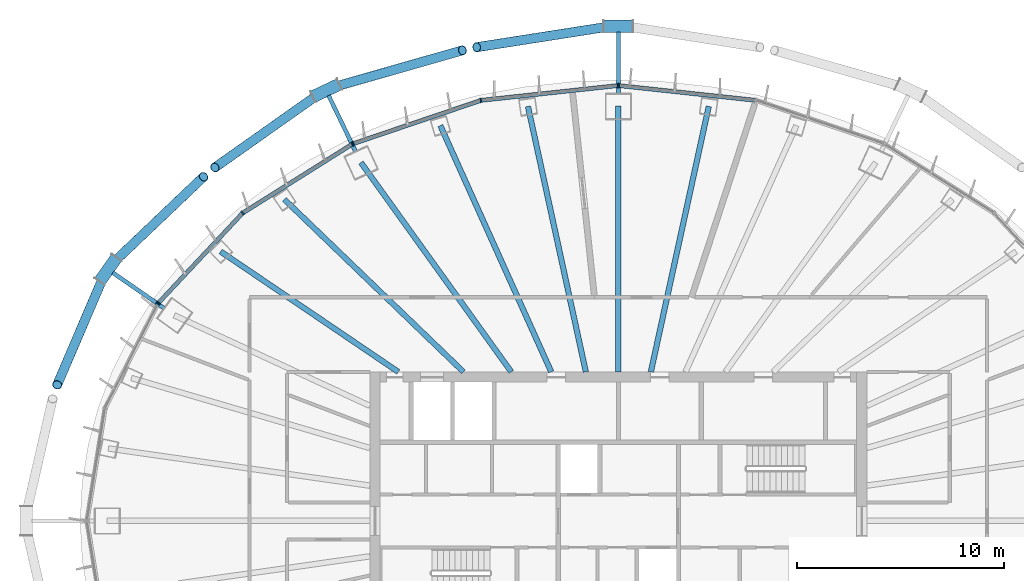
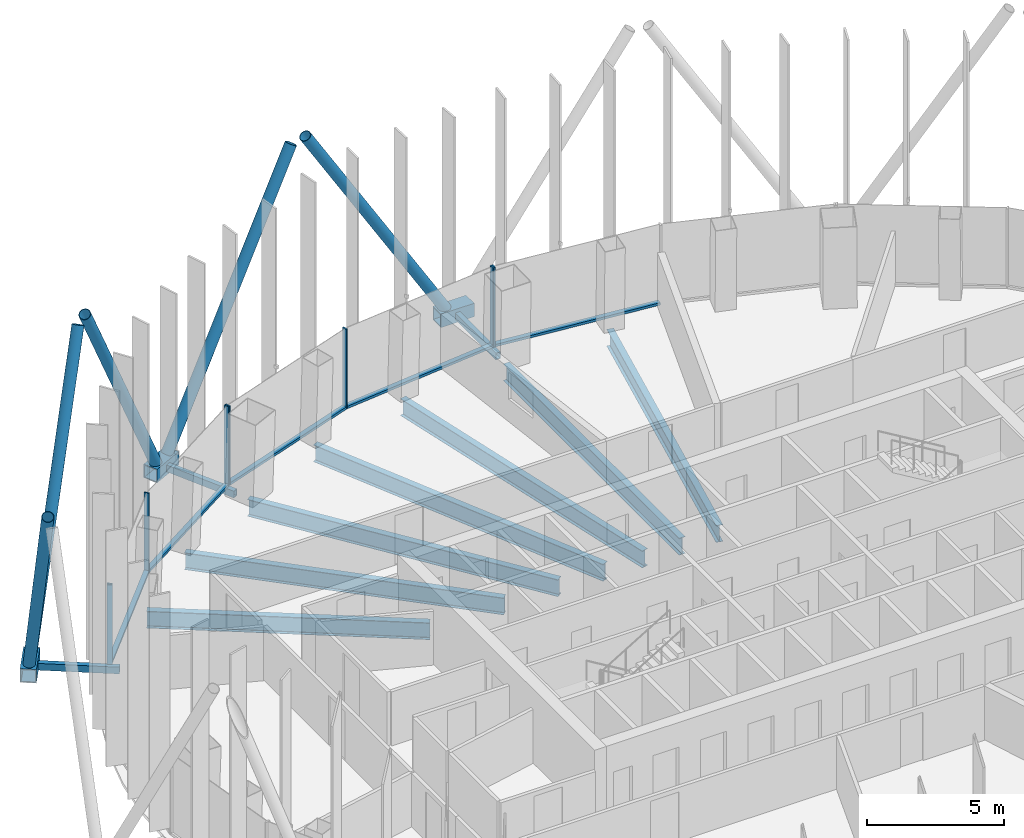
# One storey, part 6 of 20: 24 members, 7 beams, 4 elements without a shape of their own.
"""IFC4 building model written with IfcOpenShell, lengths in metres."""

from ifc_helpers import new_model, si_unit, direction, frame, origin, origin_2d, place, context, subcontext, project, spatial, rectangle, hollow_rectangle, hollow_circle, i_section, extrude, material, layer, layer_set, material_profile, profile_set, type_object, element, aggregate, save


model = new_model("IFC4")

# Units and contexts
model_context = context("Model", 3, precision=1e-05, world=origin(), true_north=direction((0.0, 1.0)))
body_context = subcontext(model_context, "Body", "Model", "MODEL_VIEW")
ifc_project = project(units=[si_unit("LENGTHUNIT", "METRE"), si_unit("AREAUNIT", "SQUARE_METRE"), si_unit("VOLUMEUNIT", "CUBIC_METRE"), si_unit("PLANEANGLEUNIT", "RADIAN"), si_unit("MASSUNIT", "GRAM", prefix="KILO")], contexts=[model_context])

# Site, building, storey
site_placement = place(None, origin())
site = spatial("IfcSite", under=ifc_project, at=site_placement, CompositionType="ELEMENT")
building_placement = place(site_placement, origin())
building = spatial("IfcBuilding", under=site, at=building_placement, Name="Siaravel Broadcast Tower", CompositionType="ELEMENT")
storey_placement = place(building_placement, frame((0.0, 0.0, 108.199951171875)))
storey = spatial("IfcBuildingStorey", under=building, at=storey_placement, Name="L25", CompositionType="ELEMENT", Elevation=108.199951171875)

# Beams
ifc_material_1 = material(Name="Steel S355", Category="steel")
ifc_material_profile_1 = material_profile(ifc_material_1, i_section(OverallWidth=0.26513671875, OverallDepth=0.75390625, WebThickness=0.0126953125, FlangeThickness=0.017578125, FilletRadius=0.0166015625, at=origin_2d()))
ifc_profile_set_1 = profile_set([ifc_material_profile_1], Name="Steel S355")
beam_type = type_object("IfcBeamType", Name="BM-UB 762x267x147", PredefinedType="BEAM", material=ifc_profile_set_1)
beam_1_placement = place(storey_placement, frame((4.365234375, 20.018310546875, -0.52685546875), z_axis=(-0.213053066, -0.977040629, 0.0), x_axis=(0.977040629, -0.213053066, 0.0)))
element("IfcBeam", 1, at=beam_1_placement, inside=storey, type_object=beam_type, Name="Radial beam RB09", PredefinedType="BEAM", context=body_context, shape_type="SweptSolid", body=[
    extrude(i_section(OverallWidth=0.26513671875, OverallDepth=0.75390625, WebThickness=0.0126953125, FlangeThickness=0.017578125, FilletRadius=0.0166015625, at=origin_2d()), origin(), (0.0, 0.0, 1.0), 13.11962890625),
])
beam_2_placement = place(storey_placement, frame((0.0, 20.031005859375, -0.52685546875), z_axis=(0.0, -1.0, 0.0), x_axis=(1.0, 0.0, 0.0)))
element("IfcBeam", 2, at=beam_2_placement, inside=storey, type_object=beam_type, Name="Radial beam RB10", PredefinedType="BEAM", context=body_context, shape_type="SweptSolid", body=[
    extrude(i_section(OverallWidth=0.26513671875, OverallDepth=0.75390625, WebThickness=0.0126953125, FlangeThickness=0.017578125, FilletRadius=0.0166015625, at=origin_2d()), origin(), (0.0, 0.0, 1.0), 12.8310546875),
])
beam_3_placement = place(storey_placement, frame((-4.365234375, 20.018310546875, -0.52685546875), z_axis=(0.213053066, -0.977040629, 0.0), x_axis=(0.977040629, 0.213053066, 0.0)))
element("IfcBeam", 3, at=beam_3_placement, inside=storey, type_object=beam_type, Name="Radial beam RB11", PredefinedType="BEAM", context=body_context, shape_type="SweptSolid", body=[
    extrude(i_section(OverallWidth=0.26513671875, OverallDepth=0.75390625, WebThickness=0.0126953125, FlangeThickness=0.017578125, FilletRadius=0.0166015625, at=origin_2d()), origin(), (0.0, 0.0, 1.0), 13.11962890625),
])
beam_4_placement = place(storey_placement, frame((-8.5947265625, 19.090087890625, -0.52685546875), z_axis=(0.410521929, -0.911850725, 0.0), x_axis=(0.911850725, 0.410521929, 0.0)))
element("IfcBeam", 4, at=beam_4_placement, inside=storey, type_object=beam_type, Name="Radial beam RB12", PredefinedType="BEAM", context=body_context, shape_type="SweptSolid", body=[
    extrude(i_section(OverallWidth=0.26513671875, OverallDepth=0.75390625, WebThickness=0.0126953125, FlangeThickness=0.017578125, FilletRadius=0.0166015625, at=origin_2d()), origin(), (0.0, 0.0, 1.0), 13.03955078125),
])
beam_5_placement = place(storey_placement, frame((-12.428466796875, 17.305419921875, -0.52685546875), z_axis=(0.583331946, -0.812233858, 0.0), x_axis=(0.812233858, 0.583331946, 0.0)))
element("IfcBeam", 5, at=beam_5_placement, inside=storey, type_object=beam_type, Name="Radial beam RB13", PredefinedType="BEAM", context=body_context, shape_type="SweptSolid", body=[
    extrude(i_section(OverallWidth=0.26513671875, OverallDepth=0.75390625, WebThickness=0.0126953125, FlangeThickness=0.017578125, FilletRadius=0.0166015625, at=origin_2d()), origin(), (0.0, 0.0, 1.0), 12.441650390625),
])
beam_6_placement = place(storey_placement, frame((-16.129150390625, 15.528076171875, -0.52685546875), z_axis=(0.720398468, -0.693560413, 0.0), x_axis=(0.693560413, 0.720398468, 0.0)))
element("IfcBeam", 6, at=beam_6_placement, inside=storey, type_object=beam_type, Name="Radial beam RB14", PredefinedType="BEAM", context=body_context, shape_type="SweptSolid", body=[
    extrude(i_section(OverallWidth=0.26513671875, OverallDepth=0.75390625, WebThickness=0.0126953125, FlangeThickness=0.017578125, FilletRadius=0.0166015625, at=origin_2d()), origin(), (0.0, 0.0, 1.0), 12.0078125),
])
beam_7_placement = place(storey_placement, frame((-19.203125, 13.01025390625, -0.52685546875), z_axis=(0.827882681, -0.560901299, 0.0), x_axis=(0.560901299, 0.827882681, 0.0)))
element("IfcBeam", 7, at=beam_7_placement, inside=storey, type_object=beam_type, Name="Radial beam RB15", PredefinedType="BEAM", context=body_context, shape_type="SweptSolid", body=[
    extrude(i_section(OverallWidth=0.26513671875, OverallDepth=0.75390625, WebThickness=0.0126953125, FlangeThickness=0.017578125, FilletRadius=0.0166015625, at=origin_2d()), origin(), (0.0, 0.0, 1.0), 10.35888671875),
])

# Curtain wall, member
ifc_material_2 = material(Name="Aluminium 6063-T6", Category="aluminium")
ifc_layer = layer(ifc_material_2, 0.199951171875)
ifc_layer_set = layer_set([ifc_layer], Name="Aluminium 6063-T6")
curtain_wall_type = type_object("IfcCurtainWallType", Name="Unitised curtain wall, zone 2", PredefinedType="NOTDEFINED", material=ifc_layer_set)
curtain_wall_1_placement = place(storey_placement, origin())
curtain_wall_1 = element("IfcCurtainWall", 8, at=curtain_wall_1_placement, inside=storey, type_object=curtain_wall_type, Name="L25 Unitised curtain wall, zone 2 03", PredefinedType="NOTDEFINED")
ifc_material_profile_2 = material_profile(ifc_material_2, rectangle(XDim=0.199951171875, YDim=0.06494140625, at=origin_2d()))
ifc_profile_set_2 = profile_set([ifc_material_profile_2], Name="Aluminium 6063-T6")
member_type_1 = type_object("IfcMemberType", Name="CW-Z2 mullion", PredefinedType="MULLION", material=ifc_profile_set_2)
member_1_placement = place(storey_placement, frame((0.0322265625, 21.02001953125, 0.0), z_axis=(0.0, 0.0, 1.0), x_axis=(-0.107217456, -0.994235594, 0.0)))
member_1 = element("IfcMember", 9, at=member_1_placement, type_object=member_type_1, Name="CW-Z2 mullion 3", PredefinedType="MULLION", context=body_context, shape_type="SweptSolid", body=[
    extrude(rectangle(XDim=0.199951171875, YDim=0.06494140625, at=origin_2d()), origin(), (0.0, 0.0, 1.0), 3.550048828125),
])

# Curtain wall, members
curtain_wall_2_placement = place(storey_placement, origin())
curtain_wall_2 = element("IfcCurtainWall", 10, at=curtain_wall_2_placement, inside=storey, type_object=curtain_wall_type, Name="L25 Unitised curtain wall, zone 2 04", PredefinedType="NOTDEFINED")
member_2_placement = place(storey_placement, frame((-0.0322265625, 21.02001953125, 0.0), z_axis=(0.0, 0.0, 1.0), x_axis=(0.107217456, -0.994235594, 0.0)))
member_2 = element("IfcMember", 11, at=member_2_placement, type_object=member_type_1, Name="CW-Z2 mullion 1", PredefinedType="MULLION", context=body_context, shape_type="SweptSolid", body=[
    extrude(rectangle(XDim=0.199951171875, YDim=0.06494140625, at=origin_2d()), origin(), (0.0, 0.0, 1.0), 3.550048828125),
])
member_3_placement = place(storey_placement, frame((-6.637939453125, 20.307861328125, 0.0), z_axis=(0.0, 0.0, 1.0), x_axis=(0.215557996, -0.97649104, 0.0)))
member_3 = element("IfcMember", 12, at=member_3_placement, type_object=member_type_1, Name="CW-Z2 mullion 2", PredefinedType="MULLION", context=body_context, shape_type="SweptSolid", body=[
    extrude(rectangle(XDim=0.199951171875, YDim=0.06494140625, at=origin_2d()), origin(), (0.0, 0.0, 1.0), 3.550048828125),
])
member_4_placement = place(storey_placement, frame((-12.793212890625, 18.21923828125, 0.0), z_axis=(0.0, 0.0, 1.0), x_axis=(0.321300513, -0.946977286, 0.0)))
member_4 = element("IfcMember", 13, at=member_4_placement, type_object=member_type_1, Name="CW-Z2 mullion 3", PredefinedType="MULLION", context=body_context, shape_type="SweptSolid", body=[
    extrude(rectangle(XDim=0.199951171875, YDim=0.06494140625, at=origin_2d()), origin(), (0.0, 0.0, 1.0), 3.550048828125),
])

curtain_wall_3_placement = place(storey_placement, origin())
curtain_wall_3 = element("IfcCurtainWall", 14, at=curtain_wall_3_placement, inside=storey, type_object=curtain_wall_type, Name="L25 Unitised curtain wall, zone 2 05", PredefinedType="NOTDEFINED")
member_5_placement = place(storey_placement, frame((-12.8515625, 18.191650390625, 0.0), z_axis=(0.0, 0.0, 1.0), x_axis=(0.532149019, -0.846650708, 0.0)))
member_5 = element("IfcMember", 15, at=member_5_placement, type_object=member_type_1, Name="CW-Z2 mullion 1", PredefinedType="MULLION", context=body_context, shape_type="SweptSolid", body=[
    extrude(rectangle(XDim=0.199951171875, YDim=0.06494140625, at=origin_2d()), origin(), (0.0, 0.0, 1.0), 3.550048828125),
])
member_6_placement = place(storey_placement, frame((-18.137451171875, 14.869384765625, 0.0), z_axis=(0.0, 0.0, 1.0), x_axis=(0.63621839, -0.771509015, 0.0)))
member_6 = element("IfcMember", 16, at=member_6_placement, type_object=member_type_1, Name="CW-Z2 mullion 2", PredefinedType="MULLION", context=body_context, shape_type="SweptSolid", body=[
    extrude(rectangle(XDim=0.199951171875, YDim=0.06494140625, at=origin_2d()), origin(), (0.0, 0.0, 1.0), 3.550048828125),
])
member_7_placement = place(storey_placement, frame((-22.193603515625, 10.539306640625, 0.0), z_axis=(0.0, 0.0, 1.0), x_axis=(0.729804977, -0.683655392, 0.0)))
member_7 = element("IfcMember", 17, at=member_7_placement, type_object=member_type_1, Name="CW-Z2 mullion 3", PredefinedType="MULLION", context=body_context, shape_type="SweptSolid", body=[
    extrude(rectangle(XDim=0.199951171875, YDim=0.06494140625, at=origin_2d()), origin(), (0.0, 0.0, 1.0), 3.550048828125),
])

# Curtain wall, member
curtain_wall_4_placement = place(storey_placement, origin())
curtain_wall_4 = element("IfcCurtainWall", 18, at=curtain_wall_4_placement, inside=storey, type_object=curtain_wall_type, Name="L25 Unitised curtain wall, zone 2 06", PredefinedType="NOTDEFINED")
member_8_placement = place(storey_placement, frame((-22.23046875, 10.486572265625, 0.0), z_axis=(0.0, 0.0, 1.0), x_axis=(0.892391899, -0.451261231, 0.0)))
member_8 = element("IfcMember", 19, at=member_8_placement, type_object=member_type_1, Name="CW-Z2 mullion 1", PredefinedType="MULLION", context=body_context, shape_type="SweptSolid", body=[
    extrude(rectangle(XDim=0.199951171875, YDim=0.06494140625, at=origin_2d()), origin(), (0.0, 0.0, 1.0), 3.550048828125),
])
aggregate(curtain_wall_4, [member_8])

# Member
ifc_material_profile_3 = material_profile(ifc_material_2, rectangle(XDim=0.199951171875, YDim=0.110107421875, at=origin_2d()))
ifc_profile_set_3 = profile_set([ifc_material_profile_3], Name="Aluminium 6063-T6")
member_type_2 = type_object("IfcMemberType", Name="CW-Z2 transom", PredefinedType="USERDEFINED", material=ifc_profile_set_3)
member_9_placement = place(storey_placement, frame((6.60546875, 20.311279296875, 0.054931640625), z_axis=(-0.994236057, 0.107213167, 0.0), x_axis=(-0.107213167, -0.994236057, 0.0)))
member_9 = element("IfcMember", 20, at=member_9_placement, type_object=member_type_2, Name="CW-Z2 transom 2", ObjectType="TRANSOM", PredefinedType="USERDEFINED", context=body_context, shape_type="SweptSolid", body=[
    extrude(rectangle(XDim=0.199951171875, YDim=0.110107421875, at=origin_2d()), origin(), (0.0, 0.0, 1.0), 6.57861328125),
])

aggregate(curtain_wall_1, [member_1, member_9])

member_10_placement = place(storey_placement, frame((-0.064697265625, 21.0166015625, 0.054931640625), z_axis=(-0.994236057, -0.107213167, 0.0), x_axis=(0.107213167, -0.994236057, 0.0)))
member_10 = element("IfcMember", 21, at=member_10_placement, type_object=member_type_2, Name="CW-Z2 transom 1", ObjectType="TRANSOM", PredefinedType="USERDEFINED", context=body_context, shape_type="SweptSolid", body=[
    extrude(rectangle(XDim=0.199951171875, YDim=0.110107421875, at=origin_2d()), origin(), (0.0, 0.0, 1.0), 6.57861328125),
])

member_11_placement = place(storey_placement, frame((-6.668701171875, 20.29736328125, 0.054931640625), z_axis=(-0.946973753, -0.321310926, 0.0), x_axis=(0.321310926, -0.946973753, 0.0)))
member_11 = element("IfcMember", 22, at=member_11_placement, type_object=member_type_2, Name="CW-Z2 transom 2", ObjectType="TRANSOM", PredefinedType="USERDEFINED", context=body_context, shape_type="SweptSolid", body=[
    extrude(rectangle(XDim=0.199951171875, YDim=0.110107421875, at=origin_2d()), origin(), (0.0, 0.0, 1.0), 6.43505859375),
])

aggregate(curtain_wall_2, [member_2, member_3, member_4, member_10, member_11])

member_12_placement = place(storey_placement, frame((-12.879150390625, 18.17431640625, 0.054931640625), z_axis=(-0.846639093, -0.532167499, 0.0), x_axis=(0.532167499, -0.846639093, 0.0)))
member_12 = element("IfcMember", 23, at=member_12_placement, type_object=member_type_2, Name="CW-Z2 transom 1", ObjectType="TRANSOM", PredefinedType="USERDEFINED", context=body_context, shape_type="SweptSolid", body=[
    extrude(rectangle(XDim=0.199951171875, YDim=0.110107421875, at=origin_2d()), origin(), (0.0, 0.0, 1.0), 6.17822265625),
])

member_13_placement = place(storey_placement, frame((-18.15966796875, 14.845458984375, 0.054931640625), z_axis=(-0.683660134, -0.729800536, 0.0), x_axis=(0.729800536, -0.683660134, 0.0)))
member_13 = element("IfcMember", 24, at=member_13_placement, type_object=member_type_2, Name="CW-Z2 transom 2", ObjectType="TRANSOM", PredefinedType="USERDEFINED", context=body_context, shape_type="SweptSolid", body=[
    extrude(rectangle(XDim=0.199951171875, YDim=0.110107421875, at=origin_2d()), origin(), (0.0, 0.0, 1.0), 5.867919921875),
])

aggregate(curtain_wall_3, [member_5, member_6, member_7, member_12, member_13])

# Members
ifc_material_3 = material(Name="Steel S460", Category="steel")
ifc_material_profile_4 = material_profile(ifc_material_3, hollow_circle(Radius=0.228515625, WallThickness=0.02001953125, at=origin_2d()))
ifc_profile_set_4 = profile_set([ifc_material_profile_4], Name="Steel S460")
member_type_3 = type_object("IfcMemberType", Name="Diagrid diagonal CHS 457x20", PredefinedType="BRACE", material=ifc_profile_set_4)
member_14_placement = place(storey_placement, frame((-0.351318359375, 23.88818359375, 0.070068359375), z_axis=(-0.521854782, -0.081567416, 0.849125634), x_axis=(0.1544279, -0.988004061, 0.0)))
element("IfcMember", 25, at=member_14_placement, inside=storey, type_object=member_type_3, Name="Diagrid diagonal R11 station 18A", PredefinedType="BRACE", context=body_context, shape_type="SweptSolid", body=[
    extrude(hollow_circle(Radius=0.228515625, WallThickness=0.02001953125, at=origin_2d()), origin(), (0.0, 0.0, 1.0), 12.436279296875),
])
member_15_placement = place(storey_placement, frame((-13.788818359375, 20.936767578125, 0.070068359375), z_axis=(0.504693487, 0.143992913, 0.851205337), x_axis=(-0.274359589, 0.961627171, 0.0)))
element("IfcMember", 26, at=member_15_placement, inside=storey, type_object=member_type_3, Name="Diagrid diagonal R11 station 24C", PredefinedType="BRACE", context=body_context, shape_type="SweptSolid", body=[
    extrude(hollow_circle(Radius=0.228515625, WallThickness=0.02001953125, at=origin_2d()), origin(), (0.0, 0.0, 1.0), 12.406005859375),
])
member_16_placement = place(storey_placement, frame((-14.423828125, 20.636474609375, 0.070068359375), z_axis=(-0.413154291, -0.2917967, 0.862646056), x_axis=(0.576892164, -0.816820318, 0.0)))
element("IfcMember", 27, at=member_16_placement, inside=storey, type_object=member_type_3, Name="Diagrid diagonal R11 station 24A", PredefinedType="BRACE", context=body_context, shape_type="SweptSolid", body=[
    extrude(hollow_circle(Radius=0.228515625, WallThickness=0.02001953125, at=origin_2d()), origin(), (0.0, 0.0, 1.0), 12.241455078125),
])
member_17_placement = place(storey_placement, frame((-24.430419921875, 12.42919921875, 0.070068359375), z_axis=(0.361544187, 0.3438727, 0.866624121), x_axis=(-0.689176745, 0.724593275, 0.0)))
element("IfcMember", 28, at=member_17_placement, inside=storey, type_object=member_type_3, Name="Diagrid diagonal R11 station 30C", PredefinedType="BRACE", context=body_context, shape_type="SweptSolid", body=[
    extrude(hollow_circle(Radius=0.228515625, WallThickness=0.02001953125, at=origin_2d()), origin(), (0.0, 0.0, 1.0), 12.185302734375),
])
member_18_placement = place(storey_placement, frame((-24.835205078125, 11.85498046875, 0.070068359375), z_axis=(-0.187937879, -0.43953705, 0.878343062), x_axis=(0.919474293, -0.393150131, 0.0)))
element("IfcMember", 29, at=member_18_placement, inside=storey, type_object=member_type_3, Name="Diagrid diagonal R11 station 30A", PredefinedType="BRACE", context=body_context, shape_type="SweptSolid", body=[
    extrude(hollow_circle(Radius=0.228515625, WallThickness=0.02001953125, at=origin_2d()), origin(), (0.0, 0.0, 1.0), 12.022705078125),
])
ifc_material_profile_5 = material_profile(ifc_material_3, hollow_rectangle(XDim=0.60009765625, YDim=0.60009765625, WallThickness=0.0400390625, at=origin_2d()))
ifc_profile_set_5 = profile_set([ifc_material_profile_5], Name="Steel S460")
member_type_4 = type_object("IfcMemberType", Name="Diagrid node BOX 600x600x40", PredefinedType="USERDEFINED", material=ifc_profile_set_5)
member_19_placement = place(storey_placement, frame((0.699951171875, 23.88818359375, -0.199951171875), z_axis=(-1.0, 0.0, 0.0), x_axis=(0.0, -1.0, 0.0)))
element("IfcMember", 30, at=member_19_placement, inside=storey, type_object=member_type_4, Name="Diagrid node R11 station 18", ObjectType="DIAGRID NODE", PredefinedType="USERDEFINED", context=body_context, shape_type="SweptSolid", body=[
    extrude(hollow_rectangle(XDim=0.60009765625, YDim=0.60009765625, WallThickness=0.0400390625, at=origin_2d()), origin(), (0.0, 0.0, 1.0), 1.39990234375),
])
for number, where, z_axis, x_axis, name in (
    (31, (-13.4736328125, 21.085693359375, -0.199951171875), (-0.904014668, -0.427501438, 0.0), (0.427501438, -0.904014668, 0.0), "Diagrid node R11 station 24"),
    (32, (-24.2294921875, 12.714111328125, -0.199951171875), (-0.576128367, -0.817359227, 0.0), (0.817359227, -0.576128367, 0.0), "Diagrid node R11 station 30"),
):
    element("IfcMember", number, at=place(storey_placement, frame(where, z_axis=z_axis, x_axis=x_axis)), inside=storey, type_object=member_type_4, Name=name, ObjectType="DIAGRID NODE", PredefinedType="USERDEFINED", context=body_context, shape_type="SweptSolid", body=[
        extrude(hollow_rectangle(XDim=0.60009765625, YDim=0.60009765625, WallThickness=0.0400390625, at=origin_2d()), origin(), (0.0, 0.0, 1.0), 1.399658203125),
    ])
ifc_material_profile_6 = material_profile(ifc_material_3, hollow_rectangle(XDim=0.199951171875, YDim=0.300048828125, WallThickness=0.012451171875, at=origin_2d()))
ifc_profile_set_6 = profile_set([ifc_material_profile_6], Name="Steel S460")
member_type_5 = type_object("IfcMemberType", Name="Diagrid node arm RHS 300x200x12.5", PredefinedType="STRUT", material=ifc_profile_set_6)
member_20_placement = place(storey_placement, frame((0.0, 20.6259765625, -0.199951171875), z_axis=(0.0, 1.0, 0.0), x_axis=(-1.0, 0.0, 0.0)))
element("IfcMember", 33, at=member_20_placement, inside=storey, type_object=member_type_5, Name="Node arm R11 station 18", PredefinedType="STRUT", context=body_context, shape_type="SweptSolid", body=[
    extrude(hollow_rectangle(XDim=0.199951171875, YDim=0.300048828125, WallThickness=0.012451171875, at=origin_2d()), origin(), (0.0, 0.0, 1.0), 2.992431640625),
])
member_21_placement = place(storey_placement, frame((-12.686767578125, 17.841552734375, -0.199951171875), z_axis=(-0.434175348, 0.900828379, 0.0), x_axis=(-0.900828379, -0.434175348, 0.0)))
element("IfcMember", 34, at=member_21_placement, inside=storey, type_object=member_type_5, Name="Node arm R11 station 24", PredefinedType="STRUT", context=body_context, shape_type="SweptSolid", body=[
    extrude(hollow_rectangle(XDim=0.199951171875, YDim=0.300048828125, WallThickness=0.012451171875, at=origin_2d()), origin(), (0.0, 0.0, 1.0), 2.999267578125),
])
member_22_placement = place(storey_placement, frame((-21.93115234375, 10.2705078125, -0.199951171875), z_axis=(-0.822031913, 0.569441423, 0.0), x_axis=(-0.569441423, -0.822031913, 0.0)))
element("IfcMember", 35, at=member_22_placement, inside=storey, type_object=member_type_5, Name="Node arm R11 station 30", PredefinedType="STRUT", context=body_context, shape_type="SweptSolid", body=[
    extrude(hollow_rectangle(XDim=0.199951171875, YDim=0.300048828125, WallThickness=0.012451171875, at=origin_2d()), origin(), (0.0, 0.0, 1.0), 3.0166015625),
])

save(model, "model.ifc")
